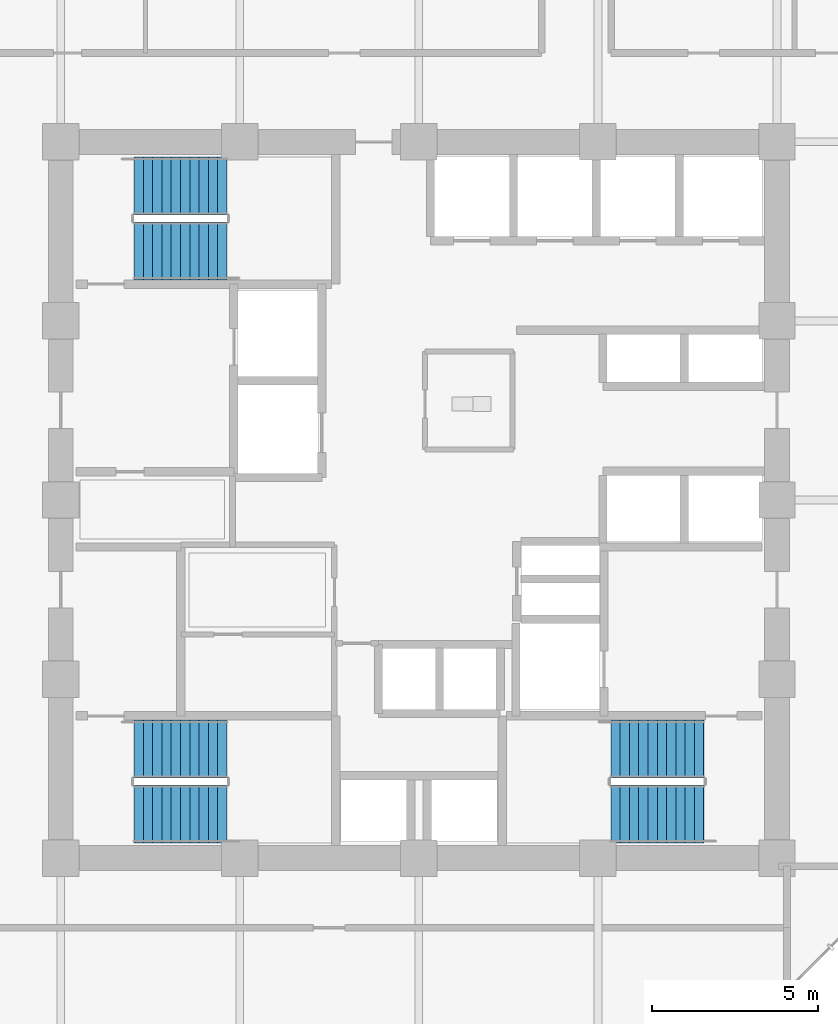
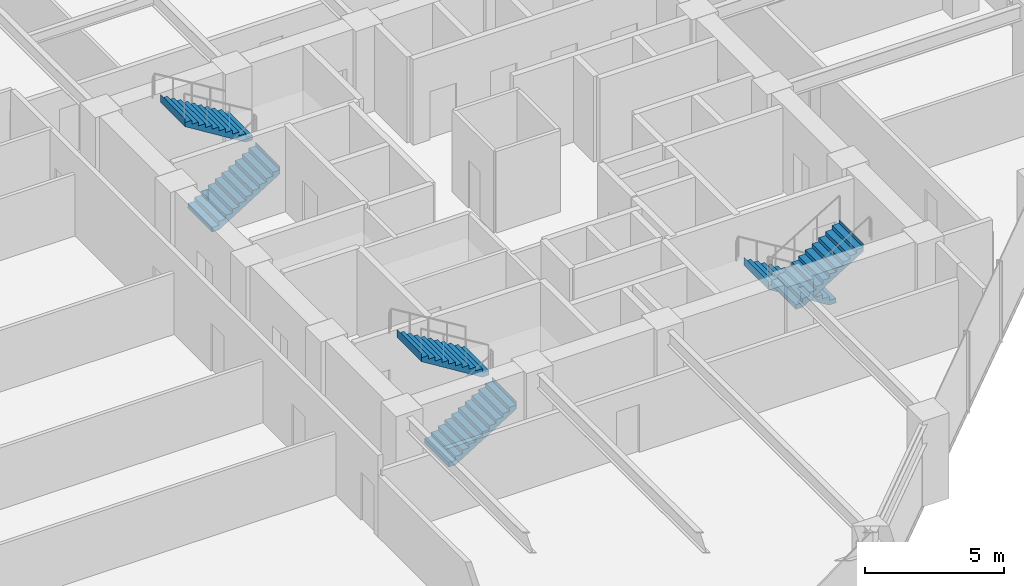
# One storey, part 22 of 25: 6 stair flights, 3 elements without a shape of their own.
"""IFC4 building model written with IfcOpenShell, lengths in metres."""

from ifc_helpers import new_model, si_unit, direction, frame, origin, place, context, subcontext, project, spatial, polyline, outline, extrude, material, type_object, element, aggregate, save


model = new_model("IFC4")

# Units and contexts
model_context = context("Model", 3, precision=1e-05, world=origin(), true_north=direction((0.0, 1.0)))
body_context = subcontext(model_context, "Body", "Model", "MODEL_VIEW")
ifc_project = project(units=[si_unit("LENGTHUNIT", "METRE"), si_unit("AREAUNIT", "SQUARE_METRE"), si_unit("VOLUMEUNIT", "CUBIC_METRE"), si_unit("PLANEANGLEUNIT", "RADIAN"), si_unit("MASSUNIT", "GRAM", prefix="KILO")], contexts=[model_context])

# Site, building, storey
site_placement = place(None, origin())
site = spatial("IfcSite", under=ifc_project, at=site_placement, CompositionType="ELEMENT")
building_placement = place(site_placement, origin())
building = spatial("IfcBuilding", under=site, at=building_placement, Name="Surkhivell Harbour Commons", CompositionType="ELEMENT")
storey_placement = place(building_placement, frame((0.0, 0.0, 98.25)))
storey = spatial("IfcBuildingStorey", under=building, at=storey_placement, Name="L25", CompositionType="ELEMENT", Elevation=98.25)

# Stair, stair flights
ifc_material = material(Name="Precast concrete C45/55", Category="concrete")
stair_type = type_object("IfcStairType", Name="STR-DL-375", PredefinedType="HALF_TURN_STAIR", material=ifc_material)
stair_1_placement = place(storey_placement, origin())
stair_1 = element("IfcStair", 1, at=stair_1_placement, inside=storey, type_object=stair_type, Name="L25 Core Exit Stair ST1", PredefinedType="HALF_TURN_STAIR")
stair_flight_type = type_object("IfcStairFlightType", Name="STF-DL-375", PredefinedType="STRAIGHT", material=ifc_material)
stair_flight_1_placement = place(storey_placement, frame((-8.590087890625, 7.514892578125, 0.0), z_axis=(0.0, 0.0, 1.0), x_axis=(1.0, 0.0, 0.0)))
stair_flight_1 = element("IfcStairFlight", 2, at=stair_flight_1_placement, type_object=stair_flight_type, Name="ST1 flight 1", NumberOfRisers=11, NumberOfTreads=10, PredefinedType="STRAIGHT", RiserHeight=0.170454545, TreadLength=0.28, context=body_context, shape_type="SweptSolid", body=[
    extrude(outline(polyline([(-0.0029296875, -0.034912109375), (-0.0029296875, 0.0), (0.0, 0.0), (0.0, 0.17041015625), (0.280029296875, 0.17041015625), (0.280029296875, 0.3408203125), (0.56005859375, 0.3408203125), (0.56005859375, 0.511474609375), (0.840087890625, 0.511474609375), (0.840087890625, 0.681884765625), (1.1201171875, 0.681884765625), (1.1201171875, 0.852294921875), (1.39990234375, 0.852294921875), (1.39990234375, 1.022705078125), (1.679931640625, 1.022705078125), (1.679931640625, 1.193115234375), (1.9599609375, 1.193115234375), (1.9599609375, 1.363525390625), (2.239990234375, 1.363525390625), (2.239990234375, 1.5341796875), (2.52001953125, 1.5341796875), (2.52001953125, 1.70458984375), (2.800048828125, 1.70458984375), (2.800048828125, 1.875), (2.802978515625, 1.875), (2.802978515625, 1.529052734375), (0.288330078125, -0.034912109375), (-0.0029296875, -0.034912109375)])), frame((0.0, 0.875, 0.0), z_axis=(0.0, -1.0, 0.0), x_axis=(1.0, 0.0, 0.0)), (0.0, 0.0, 1.0), 1.75),
])
stair_flight_2_placement = place(storey_placement, frame((-5.7900390625, 9.465087890625, 1.875), z_axis=(0.0, 0.0, 1.0), x_axis=(-1.0, 0.0, 0.0)))
stair_flight_2 = element("IfcStairFlight", 3, at=stair_flight_2_placement, type_object=stair_flight_type, Name="ST1 flight 2", NumberOfRisers=11, NumberOfTreads=10, PredefinedType="STRAIGHT", RiserHeight=0.170454545, TreadLength=0.28, context=body_context, shape_type="SweptSolid", body=[
    extrude(outline(polyline([(-0.0029296875, -0.034912109375), (-0.0029296875, 0.0), (0.0, 0.0), (0.0, 0.17041015625), (0.280029296875, 0.17041015625), (0.280029296875, 0.3408203125), (0.56005859375, 0.3408203125), (0.56005859375, 0.511474609375), (0.840087890625, 0.511474609375), (0.840087890625, 0.681884765625), (1.1201171875, 0.681884765625), (1.1201171875, 0.852294921875), (1.39990234375, 0.852294921875), (1.39990234375, 1.022705078125), (1.679931640625, 1.022705078125), (1.679931640625, 1.193115234375), (1.9599609375, 1.193115234375), (1.9599609375, 1.363525390625), (2.239990234375, 1.363525390625), (2.239990234375, 1.5341796875), (2.52001953125, 1.5341796875), (2.52001953125, 1.70458984375), (2.800048828125, 1.70458984375), (2.800048828125, 1.875), (2.802978515625, 1.875), (2.802978515625, 1.529052734375), (0.288330078125, -0.034912109375), (-0.0029296875, -0.034912109375)])), frame((0.0, 0.875, 0.0), z_axis=(0.0, -1.0, 0.0), x_axis=(1.0, 0.0, 0.0)), (0.0, 0.0, 1.0), 1.75),
])
aggregate(stair_1, [stair_flight_1, stair_flight_2])

stair_2_placement = place(storey_placement, origin())
stair_2 = element("IfcStair", 4, at=stair_2_placement, inside=storey, type_object=stair_type, Name="L25 Core Exit Stair ST2", PredefinedType="HALF_TURN_STAIR")
stair_flight_3_placement = place(storey_placement, frame((8.590087890625, -7.514892578125, 0.0), z_axis=(0.0, 0.0, 1.0), x_axis=(-1.0, 0.0, 0.0)))
stair_flight_3 = element("IfcStairFlight", 5, at=stair_flight_3_placement, type_object=stair_flight_type, Name="ST2 flight 1", NumberOfRisers=11, NumberOfTreads=10, PredefinedType="STRAIGHT", RiserHeight=0.170454545, TreadLength=0.28, context=body_context, shape_type="SweptSolid", body=[
    extrude(outline(polyline([(-0.0029296875, -0.034912109375), (-0.0029296875, 0.0), (0.0, 0.0), (0.0, 0.17041015625), (0.280029296875, 0.17041015625), (0.280029296875, 0.3408203125), (0.56005859375, 0.3408203125), (0.56005859375, 0.511474609375), (0.840087890625, 0.511474609375), (0.840087890625, 0.681884765625), (1.1201171875, 0.681884765625), (1.1201171875, 0.852294921875), (1.39990234375, 0.852294921875), (1.39990234375, 1.022705078125), (1.679931640625, 1.022705078125), (1.679931640625, 1.193115234375), (1.9599609375, 1.193115234375), (1.9599609375, 1.363525390625), (2.239990234375, 1.363525390625), (2.239990234375, 1.5341796875), (2.52001953125, 1.5341796875), (2.52001953125, 1.70458984375), (2.800048828125, 1.70458984375), (2.800048828125, 1.875), (2.802978515625, 1.875), (2.802978515625, 1.529052734375), (0.288330078125, -0.034912109375), (-0.0029296875, -0.034912109375)])), frame((0.0, 0.875, 0.0), z_axis=(0.0, -1.0, 0.0), x_axis=(1.0, 0.0, 0.0)), (0.0, 0.0, 1.0), 1.75),
])
stair_flight_4_placement = place(storey_placement, frame((5.7900390625, -9.465087890625, 1.875), z_axis=(0.0, 0.0, 1.0), x_axis=(1.0, 0.0, 0.0)))
stair_flight_4 = element("IfcStairFlight", 6, at=stair_flight_4_placement, type_object=stair_flight_type, Name="ST2 flight 2", NumberOfRisers=11, NumberOfTreads=10, PredefinedType="STRAIGHT", RiserHeight=0.170454545, TreadLength=0.28, context=body_context, shape_type="SweptSolid", body=[
    extrude(outline(polyline([(-0.0029296875, -0.034912109375), (-0.0029296875, 0.0), (0.0, 0.0), (0.0, 0.17041015625), (0.280029296875, 0.17041015625), (0.280029296875, 0.3408203125), (0.56005859375, 0.3408203125), (0.56005859375, 0.511474609375), (0.840087890625, 0.511474609375), (0.840087890625, 0.681884765625), (1.1201171875, 0.681884765625), (1.1201171875, 0.852294921875), (1.39990234375, 0.852294921875), (1.39990234375, 1.022705078125), (1.679931640625, 1.022705078125), (1.679931640625, 1.193115234375), (1.9599609375, 1.193115234375), (1.9599609375, 1.363525390625), (2.239990234375, 1.363525390625), (2.239990234375, 1.5341796875), (2.52001953125, 1.5341796875), (2.52001953125, 1.70458984375), (2.800048828125, 1.70458984375), (2.800048828125, 1.875), (2.802978515625, 1.875), (2.802978515625, 1.529052734375), (0.288330078125, -0.034912109375), (-0.0029296875, -0.034912109375)])), frame((0.0, 0.875, 0.0), z_axis=(0.0, -1.0, 0.0), x_axis=(1.0, 0.0, 0.0)), (0.0, 0.0, 1.0), 1.75),
])
aggregate(stair_2, [stair_flight_3, stair_flight_4])

stair_3_placement = place(storey_placement, origin())
stair_3 = element("IfcStair", 7, at=stair_3_placement, inside=storey, type_object=stair_type, Name="L25 Core Exit Stair ST3", PredefinedType="HALF_TURN_STAIR")
stair_flight_5_placement = place(storey_placement, frame((-8.590087890625, -9.465087890625, 0.0), z_axis=(0.0, 0.0, 1.0), x_axis=(1.0, 0.0, 0.0)))
stair_flight_5 = element("IfcStairFlight", 8, at=stair_flight_5_placement, type_object=stair_flight_type, Name="ST3 flight 1", NumberOfRisers=11, NumberOfTreads=10, PredefinedType="STRAIGHT", RiserHeight=0.170454545, TreadLength=0.28, context=body_context, shape_type="SweptSolid", body=[
    extrude(outline(polyline([(-0.0029296875, -0.034912109375), (-0.0029296875, 0.0), (0.0, 0.0), (0.0, 0.17041015625), (0.280029296875, 0.17041015625), (0.280029296875, 0.3408203125), (0.56005859375, 0.3408203125), (0.56005859375, 0.511474609375), (0.840087890625, 0.511474609375), (0.840087890625, 0.681884765625), (1.1201171875, 0.681884765625), (1.1201171875, 0.852294921875), (1.39990234375, 0.852294921875), (1.39990234375, 1.022705078125), (1.679931640625, 1.022705078125), (1.679931640625, 1.193115234375), (1.9599609375, 1.193115234375), (1.9599609375, 1.363525390625), (2.239990234375, 1.363525390625), (2.239990234375, 1.5341796875), (2.52001953125, 1.5341796875), (2.52001953125, 1.70458984375), (2.800048828125, 1.70458984375), (2.800048828125, 1.875), (2.802978515625, 1.875), (2.802978515625, 1.529052734375), (0.288330078125, -0.034912109375), (-0.0029296875, -0.034912109375)])), frame((0.0, 0.875, 0.0), z_axis=(0.0, -1.0, 0.0), x_axis=(1.0, 0.0, 0.0)), (0.0, 0.0, 1.0), 1.75),
])
stair_flight_6_placement = place(storey_placement, frame((-5.7900390625, -7.514892578125, 1.875), z_axis=(0.0, 0.0, 1.0), x_axis=(-1.0, 0.0, 0.0)))
stair_flight_6 = element("IfcStairFlight", 9, at=stair_flight_6_placement, type_object=stair_flight_type, Name="ST3 flight 2", NumberOfRisers=11, NumberOfTreads=10, PredefinedType="STRAIGHT", RiserHeight=0.170454545, TreadLength=0.28, context=body_context, shape_type="SweptSolid", body=[
    extrude(outline(polyline([(-0.0029296875, -0.034912109375), (-0.0029296875, 0.0), (0.0, 0.0), (0.0, 0.17041015625), (0.280029296875, 0.17041015625), (0.280029296875, 0.3408203125), (0.56005859375, 0.3408203125), (0.56005859375, 0.511474609375), (0.840087890625, 0.511474609375), (0.840087890625, 0.681884765625), (1.1201171875, 0.681884765625), (1.1201171875, 0.852294921875), (1.39990234375, 0.852294921875), (1.39990234375, 1.022705078125), (1.679931640625, 1.022705078125), (1.679931640625, 1.193115234375), (1.9599609375, 1.193115234375), (1.9599609375, 1.363525390625), (2.239990234375, 1.363525390625), (2.239990234375, 1.5341796875), (2.52001953125, 1.5341796875), (2.52001953125, 1.70458984375), (2.800048828125, 1.70458984375), (2.800048828125, 1.875), (2.802978515625, 1.875), (2.802978515625, 1.529052734375), (0.288330078125, -0.034912109375), (-0.0029296875, -0.034912109375)])), frame((0.0, 0.875, 0.0), z_axis=(0.0, -1.0, 0.0), x_axis=(1.0, 0.0, 0.0)), (0.0, 0.0, 1.0), 1.75),
])
aggregate(stair_3, [stair_flight_5, stair_flight_6])

save(model, "model.ifc")
